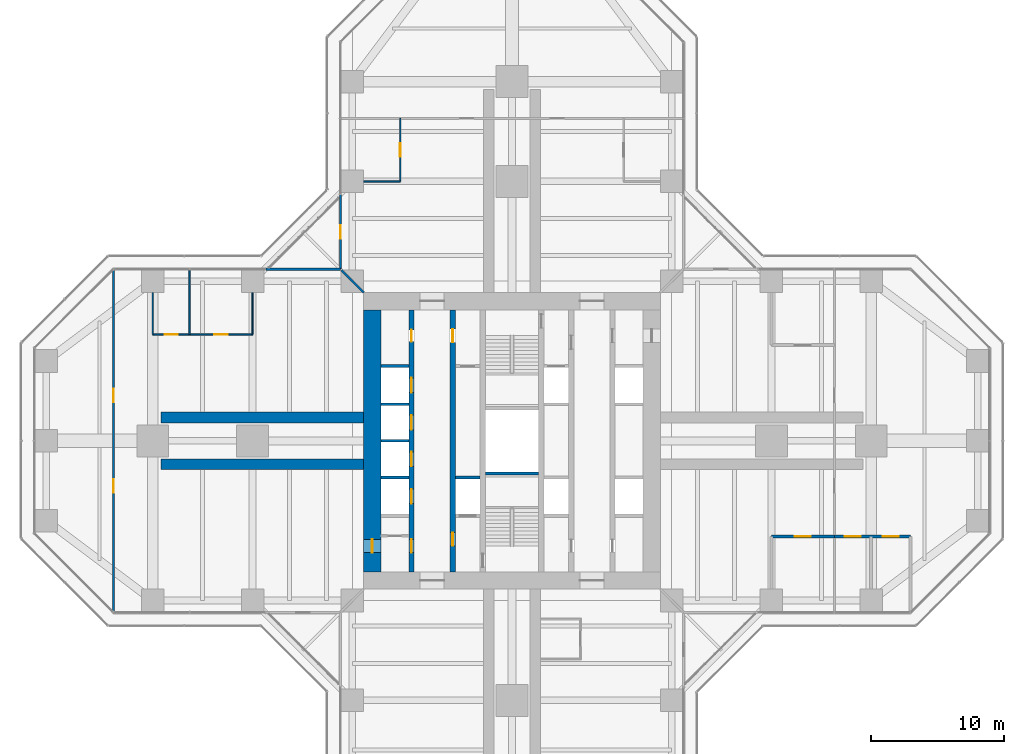
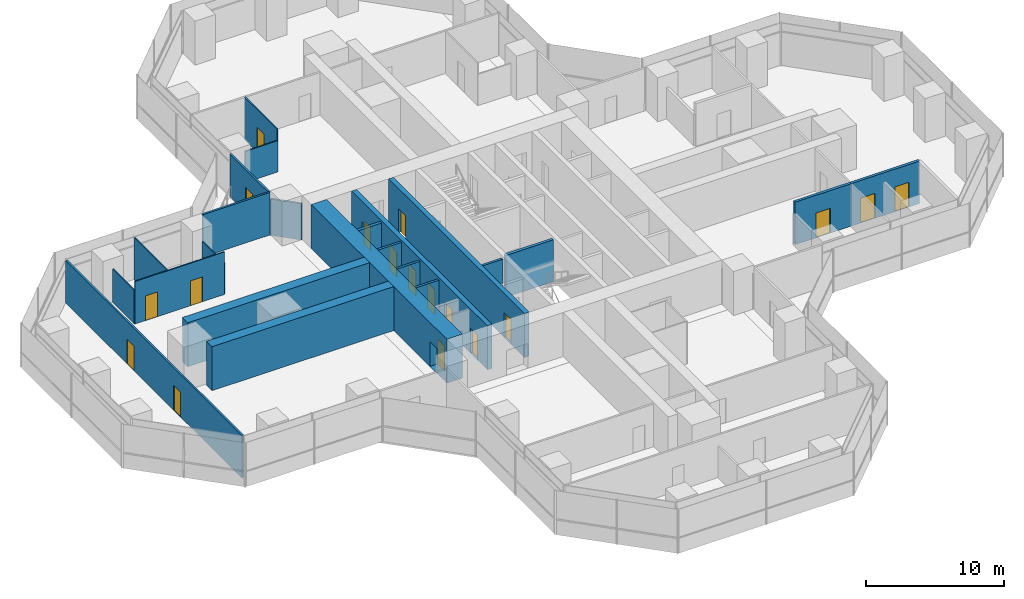
# One storey, part 18 of 22: 23 walls, 18 doors, 18 openings.
"""IFC4 building model written with IfcOpenShell, lengths in metres."""

from ifc_helpers import new_model, si_unit, direction, frame, frame_2d, origin, place, context, subcontext, project, spatial, rectangle, extrude, material, layer, layer_set, type_object, element, fill, save


model = new_model("IFC4")

# Units and contexts
model_context = context("Model", 3, precision=1e-05, world=origin(), true_north=direction((0.0, 1.0)))
body_context = subcontext(model_context, "Body", "Model", "MODEL_VIEW")
ifc_project = project(units=[si_unit("LENGTHUNIT", "METRE"), si_unit("AREAUNIT", "SQUARE_METRE"), si_unit("VOLUMEUNIT", "CUBIC_METRE"), si_unit("PLANEANGLEUNIT", "RADIAN"), si_unit("MASSUNIT", "GRAM", prefix="KILO")], contexts=[model_context])

# Site, building, storey
site_placement = place(None, origin())
site = spatial("IfcSite", under=ifc_project, at=site_placement, CompositionType="ELEMENT")
building_placement = place(site_placement, origin())
building = spatial("IfcBuilding", under=site, at=building_placement, Name="Mizan Broadcast Tower", CompositionType="ELEMENT")
storey_placement = place(building_placement, frame((0.0, 0.0, 82.5)))
storey = spatial("IfcBuildingStorey", under=building, at=storey_placement, Name="L17", CompositionType="ELEMENT", Elevation=82.5)

# Wall, openings, doors
ifc_material_1 = material(Name="Concrete C70/85", Category="concrete")
ifc_layer_1 = layer(ifc_material_1, 0.39990234375)
ifc_layer_set_1 = layer_set([ifc_layer_1], Name="Concrete C70/85")
wall_type_1 = type_object("IfcWallType", Name="CORE INTERNAL WALL 400", PredefinedType="SHEAR", material=ifc_layer_set_1)
wall_1_placement = place(storey_placement, frame((-7.550048828125, -9.85009765625, 0.0), z_axis=(0.0, 0.0, 1.0), x_axis=(0.0, 1.0, 0.0)))
wall_1 = element("IfcWall", 1, at=wall_1_placement, inside=storey, type_object=wall_type_1, Name="Core wall CORE/XW1", PredefinedType="SHEAR", context=body_context, shape_type="SweptSolid", body=[
    extrude(rectangle(XDim=19.7001953125, YDim=0.39990234375, at=frame_2d((9.85009765625, 0.0))), origin(), (0.0, 0.0, 1.0), 3.89990234375),
])
opening_1_placement = place(wall_1_placement, frame((1.449951171875, 0.0, 0.0)))
opening_1 = element("IfcOpeningElement", 2, at=opening_1_placement, cuts=wall_1, Name="Opening D10F", PredefinedType="OPENING", context=body_context, shape_type="SweptSolid", body=[
    extrude(rectangle(XDim=1.0, YDim=2.199951171875, at=frame_2d((0.5, 1.10009765625))), frame((0.0, 0.2099609375, 0.0), z_axis=(0.0, -1.0, 0.0), x_axis=(1.0, 0.0, 0.0)), (0.0, 0.0, 1.0), 0.419921875),
])
opening_2_placement = place(wall_1_placement, frame((17.300048828125, 0.0, 0.0)))
opening_2 = element("IfcOpeningElement", 3, at=opening_2_placement, cuts=wall_1, Name="Opening D09", PredefinedType="OPENING", context=body_context, shape_type="SweptSolid", body=[
    extrude(rectangle(XDim=0.89990234375, YDim=2.10009765625, at=frame_2d((0.449951171875, 1.050048828125))), frame((0.0, 0.2099609375, 0.0), z_axis=(0.0, -1.0, 0.0), x_axis=(1.0, 0.0, 0.0)), (0.0, 0.0, 1.0), 0.419921875),
])
opening_3_placement = place(wall_1_placement, frame((5.125, 0.0, 0.0)))
opening_3 = element("IfcOpeningElement", 4, at=opening_3_placement, cuts=wall_1, Name="Opening LD", PredefinedType="OPENING", context=body_context, shape_type="SweptSolid", body=[
    extrude(rectangle(XDim=1.10009765625, YDim=2.199951171875, at=frame_2d((0.550048828125, 1.10009765625))), frame((0.0, 0.2099609375, 0.0), z_axis=(0.0, -1.0, 0.0), x_axis=(1.0, 0.0, 0.0)), (0.0, 0.0, 1.0), 0.419921875),
])
opening_4_placement = place(wall_1_placement, frame((7.925048828125, 0.0, 0.0)))
opening_4 = element("IfcOpeningElement", 5, at=opening_4_placement, cuts=wall_1, Name="Opening LD", PredefinedType="OPENING", context=body_context, shape_type="SweptSolid", body=[
    extrude(rectangle(XDim=1.10009765625, YDim=2.199951171875, at=frame_2d((0.550048828125, 1.10009765625))), frame((0.0, 0.2099609375, 0.0), z_axis=(0.0, -1.0, 0.0), x_axis=(1.0, 0.0, 0.0)), (0.0, 0.0, 1.0), 0.419921875),
])
opening_5_placement = place(wall_1_placement, frame((10.675048828125, 0.0, 0.0)))
opening_5 = element("IfcOpeningElement", 6, at=opening_5_placement, cuts=wall_1, Name="Opening LD", PredefinedType="OPENING", context=body_context, shape_type="SweptSolid", body=[
    extrude(rectangle(XDim=1.10009765625, YDim=2.199951171875, at=frame_2d((0.550048828125, 1.10009765625))), frame((0.0, 0.2099609375, 0.0), z_axis=(0.0, -1.0, 0.0), x_axis=(1.0, 0.0, 0.0)), (0.0, 0.0, 1.0), 0.419921875),
])
opening_6_placement = place(wall_1_placement, frame((13.47509765625, 0.0, 0.0)))
opening_6 = element("IfcOpeningElement", 7, at=opening_6_placement, cuts=wall_1, Name="Opening LD", PredefinedType="OPENING", context=body_context, shape_type="SweptSolid", body=[
    extrude(rectangle(XDim=1.10009765625, YDim=2.199951171875, at=frame_2d((0.550048828125, 1.10009765625))), frame((0.0, 0.2099609375, 0.0), z_axis=(0.0, -1.0, 0.0), x_axis=(1.0, 0.0, 0.0)), (0.0, 0.0, 1.0), 0.419921875),
])
ifc_material_2 = material(Name="Steel door leaf in steel frame", Category="steel")
door_type_1 = type_object("IfcDoorType", Name="FIRE DOOR 1000 FD90", OperationType="SINGLE_SWING_LEFT", PredefinedType="DOOR", material=ifc_material_2)
door_1_placement = place(opening_1_placement, origin())
door_1 = element("IfcDoor", 8, at=door_1_placement, inside=storey, type_object=door_type_1, Name="West core passage door", OperationType="SINGLE_SWING_LEFT", OverallHeight=2.199951171875, OverallWidth=1.0, PredefinedType="DOOR", context=body_context, shape_type="SweptSolid", body=[
    extrude(rectangle(XDim=1.0, YDim=2.199951171875, at=frame_2d((0.5, 1.10009765625))), frame((0.0, 0.02490234375, 0.0), z_axis=(0.0, -1.0, 0.0), x_axis=(1.0, 0.0, 0.0)), (0.0, 0.0, 1.0), 0.050048828125),
])
fill(opening_1, door_1)
ifc_material_3 = material(Name="Steel door leaf in steel frame", Category="steel")
door_type_2 = type_object("IfcDoorType", Name="LIFT LANDING DOOR 1100", OperationType="SLIDING_TO_LEFT", PredefinedType="DOOR", material=ifc_material_3)
door_2_placement = place(opening_3_placement, origin())
door_2 = element("IfcDoor", 9, at=door_2_placement, inside=storey, type_object=door_type_2, Name="Landing door LA1", OperationType="SLIDING_TO_LEFT", OverallHeight=2.199951171875, OverallWidth=1.10009765625, PredefinedType="DOOR", context=body_context, shape_type="SweptSolid", body=[
    extrude(rectangle(XDim=1.10009765625, YDim=2.199951171875, at=frame_2d((0.550048828125, 1.10009765625))), frame((0.0, 0.02490234375, 0.0), z_axis=(0.0, -1.0, 0.0), x_axis=(1.0, 0.0, 0.0)), (0.0, 0.0, 1.0), 0.050048828125),
])
fill(opening_3, door_2)
door_3_placement = place(opening_4_placement, origin())
door_3 = element("IfcDoor", 10, at=door_3_placement, inside=storey, type_object=door_type_2, Name="Landing door LA2", OperationType="SLIDING_TO_LEFT", OverallHeight=2.199951171875, OverallWidth=1.10009765625, PredefinedType="DOOR", context=body_context, shape_type="SweptSolid", body=[
    extrude(rectangle(XDim=1.10009765625, YDim=2.199951171875, at=frame_2d((0.550048828125, 1.10009765625))), frame((0.0, 0.02490234375, 0.0), z_axis=(0.0, -1.0, 0.0), x_axis=(1.0, 0.0, 0.0)), (0.0, 0.0, 1.0), 0.050048828125),
])
fill(opening_4, door_3)
door_4_placement = place(opening_5_placement, origin())
door_4 = element("IfcDoor", 11, at=door_4_placement, inside=storey, type_object=door_type_2, Name="Landing door LA3", OperationType="SLIDING_TO_LEFT", OverallHeight=2.199951171875, OverallWidth=1.10009765625, PredefinedType="DOOR", context=body_context, shape_type="SweptSolid", body=[
    extrude(rectangle(XDim=1.10009765625, YDim=2.199951171875, at=frame_2d((0.550048828125, 1.10009765625))), frame((0.0, 0.02490234375, 0.0), z_axis=(0.0, -1.0, 0.0), x_axis=(1.0, 0.0, 0.0)), (0.0, 0.0, 1.0), 0.050048828125),
])
fill(opening_5, door_4)
door_5_placement = place(opening_6_placement, origin())
door_5 = element("IfcDoor", 12, at=door_5_placement, inside=storey, type_object=door_type_2, Name="Landing door LA4", OperationType="SLIDING_TO_LEFT", OverallHeight=2.199951171875, OverallWidth=1.10009765625, PredefinedType="DOOR", context=body_context, shape_type="SweptSolid", body=[
    extrude(rectangle(XDim=1.10009765625, YDim=2.199951171875, at=frame_2d((0.550048828125, 1.10009765625))), frame((0.0, 0.02490234375, 0.0), z_axis=(0.0, -1.0, 0.0), x_axis=(1.0, 0.0, 0.0)), (0.0, 0.0, 1.0), 0.050048828125),
])
fill(opening_6, door_5)
ifc_material_4 = material(Name="Timber door leaf in aluminium frame", Category="wood")
door_type_3 = type_object("IfcDoorType", Name="TOILET DOOR 900", OperationType="SINGLE_SWING_LEFT", PredefinedType="DOOR", material=ifc_material_4)
door_6_placement = place(opening_2_placement, origin())
door_6 = element("IfcDoor", 13, at=door_6_placement, inside=storey, type_object=door_type_3, Name="Male WC door", OperationType="SINGLE_SWING_RIGHT", OverallHeight=2.10009765625, OverallWidth=0.89990234375, PredefinedType="DOOR", context=body_context, shape_type="SweptSolid", body=[
    extrude(rectangle(XDim=0.89990234375, YDim=2.10009765625, at=frame_2d((0.449951171875, 1.050048828125))), frame((0.0, 0.02490234375, 0.0), z_axis=(0.0, -1.0, 0.0), x_axis=(1.0, 0.0, 0.0)), (0.0, 0.0, 1.0), 0.050048828125),
])
fill(opening_2, door_6)

wall_2_placement = place(storey_placement, frame((-4.449951171875, -9.85009765625, 0.0), z_axis=(0.0, 0.0, 1.0), x_axis=(0.0, 1.0, 0.0)))
wall_2 = element("IfcWall", 14, at=wall_2_placement, inside=storey, type_object=wall_type_1, Name="Core wall CORE/XWH", PredefinedType="SHEAR", context=body_context, shape_type="SweptSolid", body=[
    extrude(rectangle(XDim=19.7001953125, YDim=0.39990234375, at=frame_2d((9.85009765625, 0.0))), origin(), (0.0, 0.0, 1.0), 3.89990234375),
])
opening_7_placement = place(wall_2_placement, frame((1.949951171875, 0.0, 0.0)))
opening_7 = element("IfcOpeningElement", 15, at=opening_7_placement, cuts=wall_2, Name="Opening D10F", PredefinedType="OPENING", context=body_context, shape_type="SweptSolid", body=[
    extrude(rectangle(XDim=1.0, YDim=2.199951171875, at=frame_2d((0.5, 1.10009765625))), frame((0.0, 0.2099609375, 0.0), z_axis=(0.0, -1.0, 0.0), x_axis=(1.0, 0.0, 0.0)), (0.0, 0.0, 1.0), 0.419921875),
])
opening_8_placement = place(wall_2_placement, frame((17.25, 0.0, 0.0)))
opening_8 = element("IfcOpeningElement", 16, at=opening_8_placement, cuts=wall_2, Name="Opening D10A", PredefinedType="OPENING", context=body_context, shape_type="SweptSolid", body=[
    extrude(rectangle(XDim=1.0, YDim=2.10009765625, at=frame_2d((0.5, 1.050048828125))), frame((0.0, 0.2099609375, 0.0), z_axis=(0.0, -1.0, 0.0), x_axis=(1.0, 0.0, 0.0)), (0.0, 0.0, 1.0), 0.419921875),
])
ifc_material_5 = material(Name="Timber door leaf in aluminium frame", Category="wood")
door_type_4 = type_object("IfcDoorType", Name="ACCESSIBLE WC DOOR 1000", OperationType="SLIDING_TO_LEFT", PredefinedType="DOOR", material=ifc_material_5)
door_7_placement = place(opening_8_placement, origin())
door_7 = element("IfcDoor", 17, at=door_7_placement, inside=storey, type_object=door_type_4, Name="Accessible WC door", OperationType="SLIDING_TO_LEFT", OverallHeight=2.10009765625, OverallWidth=1.0, PredefinedType="DOOR", context=body_context, shape_type="SweptSolid", body=[
    extrude(rectangle(XDim=1.0, YDim=2.10009765625, at=frame_2d((0.5, 1.050048828125))), frame((0.0, 0.02490234375, 0.0), z_axis=(0.0, -1.0, 0.0), x_axis=(1.0, 0.0, 0.0)), (0.0, 0.0, 1.0), 0.050048828125),
])
fill(opening_8, door_7)
door_8_placement = place(opening_7_placement, origin())
door_8 = element("IfcDoor", 18, at=door_8_placement, inside=storey, type_object=door_type_1, Name="Firefighting lobby A door", OperationType="SINGLE_SWING_LEFT", OverallHeight=2.199951171875, OverallWidth=1.0, PredefinedType="DOOR", context=body_context, shape_type="SweptSolid", body=[
    extrude(rectangle(XDim=1.0, YDim=2.199951171875, at=frame_2d((0.5, 1.10009765625))), frame((0.0, 0.02490234375, 0.0), z_axis=(0.0, -1.0, 0.0), x_axis=(1.0, 0.0, 0.0)), (0.0, 0.0, 1.0), 0.050048828125),
])
fill(opening_7, door_8)

# Wall, opening, door
ifc_material_6 = material(Name="Concrete C70/85", Category="concrete")
ifc_layer_2 = layer(ifc_material_6, 1.300048828125)
ifc_layer_set_2 = layer_set([ifc_layer_2], Name="Concrete C70/85")
wall_type_2 = type_object("IfcWallType", Name="CORE WALL 1300", PredefinedType="SHEAR", material=ifc_layer_set_2)
wall_3_placement = place(storey_placement, frame((-10.5, 9.85009765625, 0.0), z_axis=(0.0, 0.0, 1.0), x_axis=(0.0, -1.0, 0.0)))
wall_3 = element("IfcWall", 19, at=wall_3_placement, inside=storey, type_object=wall_type_2, Name="Core wall W L17", PredefinedType="SHEAR", context=body_context, shape_type="SweptSolid", body=[
    extrude(rectangle(XDim=19.7001953125, YDim=1.300048828125, at=frame_2d((9.85009765625, 0.0))), origin(), (0.0, 0.0, 1.0), 3.89990234375),
])
opening_9_placement = place(wall_3_placement, frame((17.25, 0.0, 0.0)))
opening_9 = element("IfcOpeningElement", 20, at=opening_9_placement, cuts=wall_3, Name="Opening D10F", PredefinedType="OPENING", context=body_context, shape_type="SweptSolid", body=[
    extrude(rectangle(XDim=1.0, YDim=2.199951171875, at=frame_2d((0.5, 1.10009765625))), frame((0.0, 0.659912109375, 0.0), z_axis=(0.0, -1.0, 0.0), x_axis=(1.0, 0.0, 0.0)), (0.0, 0.0, 1.0), 1.320068359375),
])
door_9_placement = place(opening_9_placement, origin())
door_9 = element("IfcDoor", 21, at=door_9_placement, inside=storey, type_object=door_type_1, Name="West core passage arm door", OperationType="SINGLE_SWING_RIGHT", OverallHeight=2.199951171875, OverallWidth=1.0, PredefinedType="DOOR", context=body_context, shape_type="SweptSolid", body=[
    extrude(rectangle(XDim=1.0, YDim=2.199951171875, at=frame_2d((0.5, 1.10009765625))), frame((0.0, 0.02490234375, 0.0), z_axis=(0.0, -1.0, 0.0), x_axis=(1.0, 0.0, 0.0)), (0.0, 0.0, 1.0), 0.050048828125),
])
fill(opening_9, door_9)

ifc_material_7 = material(Name="Aluminium framed glazed screen", Category="aluminium")
ifc_layer_3 = layer(ifc_material_7, 0.159912109375)
ifc_layer_set_3 = layer_set([ifc_layer_3], Name="Aluminium framed glazed screen")
wall_type_3 = type_object("IfcWallType", Name="GLAZED SCREEN WALL 160", PredefinedType="SOLIDWALL", material=ifc_layer_set_3)
wall_4_placement = place(storey_placement, frame((-12.89990234375, 18.5, 0.0), z_axis=(0.0, 0.0, 1.0), x_axis=(0.0, -1.0, 0.0)))
wall_4 = element("IfcWall", 22, at=wall_4_placement, inside=storey, type_object=wall_type_3, Name="Winter garden screen L17 N", PredefinedType="SOLIDWALL", context=body_context, shape_type="SweptSolid", body=[
    extrude(rectangle(XDim=5.60009765625, YDim=0.159912109375, at=frame_2d((2.800048828125, 0.0))), origin(), (0.0, 0.0, 1.0), 3.77001953125),
])
opening_10_placement = place(wall_4_placement, frame((2.300048828125, 0.0, 0.0)))
opening_10 = element("IfcOpeningElement", 23, at=opening_10_placement, cuts=wall_4, Name="Opening WGD", PredefinedType="OPENING", context=body_context, shape_type="SweptSolid", body=[
    extrude(rectangle(XDim=1.0, YDim=2.199951171875, at=frame_2d((0.5, 1.10009765625))), frame((0.0, 0.08984375, 0.0), z_axis=(0.0, -1.0, 0.0), x_axis=(1.0, 0.0, 0.0)), (0.0, 0.0, 1.0), 0.179931640625),
])
ifc_material_8 = material(Name="Aluminium framed glazed door", Category="aluminium")
door_type_5 = type_object("IfcDoorType", Name="WINTER GARDEN DOOR 1000 GLAZED", OperationType="SINGLE_SWING_LEFT", PredefinedType="DOOR", material=ifc_material_8)
door_10_placement = place(opening_10_placement, origin())
door_10 = element("IfcDoor", 24, at=door_10_placement, inside=storey, type_object=door_type_5, Name="Winter garden door L17 N", OperationType="SINGLE_SWING_RIGHT", OverallHeight=2.199951171875, OverallWidth=1.0, PredefinedType="DOOR", context=body_context, shape_type="SweptSolid", body=[
    extrude(rectangle(XDim=1.0, YDim=2.199951171875, at=frame_2d((0.5, 1.10009765625))), frame((0.0, 0.02490234375, 0.0), z_axis=(0.0, -1.0, 0.0), x_axis=(1.0, 0.0, 0.0)), (0.0, 0.0, 1.0), 0.050048828125),
])
fill(opening_10, door_10)

# Walls
wall_5_placement = place(storey_placement, frame((-12.89990234375, 12.89990234375, 0.0), z_axis=(0.0, 0.0, 1.0), x_axis=(-1.0, 0.0, 0.0)))
element("IfcWall", 25, at=wall_5_placement, inside=storey, type_object=wall_type_3, Name="Winter garden screen L17 W", PredefinedType="SOLIDWALL", context=body_context, shape_type="SweptSolid", body=[
    extrude(rectangle(XDim=5.60009765625, YDim=0.159912109375, at=frame_2d((2.800048828125, 0.0))), origin(), (0.0, 0.0, 1.0), 3.77001953125),
])
ifc_material_9 = material(Name="Concrete blockwork", Category="masonry")
ifc_layer_4 = layer(ifc_material_9, 0.199951171875)
ifc_layer_set_4 = layer_set([ifc_layer_4], Name="Concrete blockwork")
wall_type_4 = type_object("IfcWallType", Name="LIFT SHAFT WALL 200", PredefinedType="SOLIDWALL", material=ifc_layer_set_4)
wall_6_placement = place(storey_placement, frame((-9.85009765625, -2.75, 0.0), z_axis=(0.0, 0.0, 1.0), x_axis=(1.0, 0.0, 0.0)))
element("IfcWall", 26, at=wall_6_placement, inside=storey, type_object=wall_type_4, Name="Lift shaft wall CORE/SW1-1", PredefinedType="SOLIDWALL", context=body_context, shape_type="SweptSolid", body=[
    extrude(rectangle(XDim=2.10009765625, YDim=0.199951171875, at=frame_2d((1.050048828125, 0.0))), origin(), (0.0, 0.0, 1.0), 3.699951171875),
])
wall_7_placement = place(storey_placement, frame((-4.25, -2.75, 0.0), z_axis=(0.0, 0.0, 1.0), x_axis=(1.0, 0.0, 0.0)))
element("IfcWall", 27, at=wall_7_placement, inside=storey, type_object=wall_type_4, Name="Lift shaft wall CORE/SW2-1", PredefinedType="SOLIDWALL", context=body_context, shape_type="SweptSolid", body=[
    extrude(rectangle(XDim=1.85009765625, YDim=0.199951171875, at=frame_2d((0.925048828125, 0.0))), origin(), (0.0, 0.0, 1.0), 3.699951171875),
])
for number, where, z_axis, x_axis, name in (
    (28, (-9.85009765625, 0.0, 0.0), (0.0, 0.0, 1.0), (1.0, 0.0, 0.0), "Lift shaft wall CORE/SW1-2"),
    (29, (-9.85009765625, 2.75, 0.0), (0.0, 0.0, 1.0), (1.0, 0.0, 0.0), "Lift shaft wall CORE/SW1-3"),
):
    element("IfcWall", number, at=place(storey_placement, frame(where, z_axis=z_axis, x_axis=x_axis)), inside=storey, type_object=wall_type_4, Name=name, PredefinedType="SOLIDWALL", context=body_context, shape_type="SweptSolid", body=[
        extrude(rectangle(XDim=2.10009765625, YDim=0.199951171875, at=frame_2d((1.050048828125, 0.0))), origin(), (0.0, 0.0, 1.0), 3.699951171875),
    ])
ifc_material_10 = material(Name="Concrete blockwork", Category="masonry")
ifc_layer_5 = layer(ifc_material_10, 0.25)
ifc_layer_set_5 = layer_set([ifc_layer_5], Name="Concrete blockwork")
wall_type_5 = type_object("IfcWallType", Name="LOBBY ENCLOSURE WALL 250", PredefinedType="SOLIDWALL", material=ifc_layer_set_5)
wall_8_placement = place(storey_placement, frame((-9.85009765625, 5.625, 0.0), z_axis=(0.0, 0.0, 1.0), x_axis=(1.0, 0.0, 0.0)))
element("IfcWall", 30, at=wall_8_placement, inside=storey, type_object=wall_type_5, Name="Lobby enclosure wall CORE/BW1N", PredefinedType="SOLIDWALL", context=body_context, shape_type="SweptSolid", body=[
    extrude(rectangle(XDim=2.10009765625, YDim=0.25, at=frame_2d((1.050048828125, 0.0))), origin(), (0.0, 0.0, 1.0), 3.699951171875),
])
wall_9_placement = place(storey_placement, frame((-2.0, -2.449951171875, 0.0), z_axis=(0.0, 0.0, 1.0), x_axis=(1.0, 0.0, 0.0)))
element("IfcWall", 31, at=wall_9_placement, inside=storey, type_object=wall_type_5, Name="Lobby enclosure wall CORE/STA", PredefinedType="SOLIDWALL", context=body_context, shape_type="SweptSolid", body=[
    extrude(rectangle(XDim=4.0, YDim=0.25, at=frame_2d((2.0, 0.0))), origin(), (0.0, 0.0, 1.0), 3.699951171875),
])

# Wall, openings, doors
ifc_material_11 = material(Name="Gypsum board on steel studs", Category="steel")
ifc_layer_6 = layer(ifc_material_11, 0.14990234375)
ifc_layer_set_6 = layer_set([ifc_layer_6], Name="Gypsum board on steel studs")
wall_type_6 = type_object("IfcWallType", Name="PARTITION 150", PredefinedType="PARTITIONING", material=ifc_layer_set_6)
wall_10_placement = place(storey_placement, frame((-29.958984375, 12.786376953125, 0.0), z_axis=(0.0, 0.0, 1.0), x_axis=(0.0, -1.0, 0.0)))
wall_10 = element("IfcWall", 32, at=wall_10_placement, inside=storey, type_object=wall_type_6, Name="Partition PT/WX1", PredefinedType="PARTITIONING", context=body_context, shape_type="SweptSolid", body=[
    extrude(rectangle(XDim=25.57275390625, YDim=0.14990234375, at=frame_2d((12.786376953125, 0.0))), origin(), (0.0, 0.0, 1.0), 3.77001953125),
])
opening_11_placement = place(wall_10_placement, frame((15.6865234375, 0.0, 0.0)))
opening_11 = element("IfcOpeningElement", 33, at=opening_11_placement, cuts=wall_10, Name="Opening D10", PredefinedType="OPENING", context=body_context, shape_type="SweptSolid", body=[
    extrude(rectangle(XDim=1.0, YDim=2.199951171875, at=frame_2d((0.5, 1.10009765625))), frame((0.0, 0.0849609375, 0.0), z_axis=(0.0, -1.0, 0.0), x_axis=(1.0, 0.0, 0.0)), (0.0, 0.0, 1.0), 0.169921875),
])
opening_12_placement = place(wall_10_placement, frame((8.886474609375, 0.0, 0.0)))
opening_12 = element("IfcOpeningElement", 34, at=opening_12_placement, cuts=wall_10, Name="Opening D10", PredefinedType="OPENING", context=body_context, shape_type="SweptSolid", body=[
    extrude(rectangle(XDim=1.0, YDim=2.199951171875, at=frame_2d((0.5, 1.10009765625))), frame((0.0, 0.0849609375, 0.0), z_axis=(0.0, -1.0, 0.0), x_axis=(1.0, 0.0, 0.0)), (0.0, 0.0, 1.0), 0.169921875),
])
ifc_material_12 = material(Name="Timber door leaf in aluminium frame", Category="wood")
door_type_6 = type_object("IfcDoorType", Name="ROOM DOOR 1000", OperationType="SINGLE_SWING_LEFT", PredefinedType="DOOR", material=ifc_material_12)
door_11_placement = place(opening_11_placement, origin())
door_11 = element("IfcDoor", 35, at=door_11_placement, inside=storey, type_object=door_type_6, Name="Screening room door", OperationType="SINGLE_SWING_RIGHT", OverallHeight=2.199951171875, OverallWidth=1.0, PredefinedType="DOOR", context=body_context, shape_type="SweptSolid", body=[
    extrude(rectangle(XDim=1.0, YDim=2.199951171875, at=frame_2d((0.5, 1.10009765625))), frame((0.0, 0.02490234375, 0.0), z_axis=(0.0, -1.0, 0.0), x_axis=(1.0, 0.0, 0.0)), (0.0, 0.0, 1.0), 0.050048828125),
])
fill(opening_11, door_11)
door_12_placement = place(opening_12_placement, origin())
door_12 = element("IfcDoor", 36, at=door_12_placement, inside=storey, type_object=door_type_6, Name="Screening room door", OperationType="SINGLE_SWING_LEFT", OverallHeight=2.199951171875, OverallWidth=1.0, PredefinedType="DOOR", context=body_context, shape_type="SweptSolid", body=[
    extrude(rectangle(XDim=1.0, YDim=2.199951171875, at=frame_2d((0.5, 1.10009765625))), frame((0.0, 0.02490234375, 0.0), z_axis=(0.0, -1.0, 0.0), x_axis=(1.0, 0.0, 0.0)), (0.0, 0.0, 1.0), 0.050048828125),
])
fill(opening_12, door_12)

# Wall
wall_11_placement = place(storey_placement, frame((-11.14990234375, 11.14990234375, 0.0), z_axis=(0.0, 0.0, 1.0), x_axis=(-0.707106781187, 0.707106781187, 0.0)))
element("IfcWall", 37, at=wall_11_placement, inside=storey, type_object=wall_type_6, Name="Partition PT/DGWN", PredefinedType="PARTITIONING", context=body_context, shape_type="SweptSolid", body=[
    extrude(rectangle(XDim=2.362060546875, YDim=0.14990234375, at=frame_2d((1.18115234375, 0.0))), origin(), (0.0, 0.0, 1.0), 3.219970703125),
])

# Wall, opening, door
ifc_material_13 = material(Name="Twin steel stud acoustic partition, four layers of gypsum board", Category="steel")
ifc_layer_7 = layer(ifc_material_13, 0.22509765625)
ifc_layer_set_7 = layer_set([ifc_layer_7], Name="Twin steel stud acoustic partition, four layers of gypsum board")
wall_type_7 = type_object("IfcWallType", Name="PARTITION ACOUSTIC 225", PredefinedType="PARTITIONING", material=ifc_layer_set_7)
wall_12_placement = place(storey_placement, frame((19.5, -7.199951171875, 0.0), z_axis=(0.0, 0.0, 1.0), x_axis=(1.0, 0.0, 0.0)))
wall_12 = element("IfcWall", 38, at=wall_12_placement, inside=storey, type_object=wall_type_7, Name="Acoustic partition PT/ECN0", PredefinedType="PARTITIONING", context=body_context, shape_type="SweptSolid", body=[
    extrude(rectangle(XDim=4.72900390625, YDim=0.22509765625, at=frame_2d((2.364501953125, 0.0))), origin(), (0.0, 0.0, 1.0), 3.77001953125),
])
opening_13_placement = place(wall_12_placement, frame((1.764404296875, 0.0, 0.0)))
opening_13 = element("IfcOpeningElement", 39, at=opening_13_placement, cuts=wall_12, Name="Opening D12A", PredefinedType="OPENING", context=body_context, shape_type="SweptSolid", body=[
    extrude(rectangle(XDim=1.199951171875, YDim=2.199951171875, at=frame_2d((0.60009765625, 1.10009765625))), frame((0.0, 0.12255859375, 0.0), z_axis=(0.0, -1.0, 0.0), x_axis=(1.0, 0.0, 0.0)), (0.0, 0.0, 1.0), 0.2451171875),
])
ifc_material_14 = material(Name="Timber door leaf in aluminium frame", Category="wood")
door_type_7 = type_object("IfcDoorType", Name="ACOUSTIC DOOR 1200", OperationType="SINGLE_SWING_LEFT", PredefinedType="DOOR", material=ifc_material_14)
door_13_placement = place(opening_13_placement, origin())
door_13 = element("IfcDoor", 40, at=door_13_placement, inside=storey, type_object=door_type_7, Name="Commissioning editor's office door", OperationType="SINGLE_SWING_LEFT", OverallHeight=2.199951171875, OverallWidth=1.199951171875, PredefinedType="DOOR", context=body_context, shape_type="SweptSolid", body=[
    extrude(rectangle(XDim=1.199951171875, YDim=2.199951171875, at=frame_2d((0.60009765625, 1.10009765625))), frame((0.0, 0.02490234375, 0.0), z_axis=(0.0, -1.0, 0.0), x_axis=(1.0, 0.0, 0.0)), (0.0, 0.0, 1.0), 0.050048828125),
])
fill(opening_13, door_13)

# Wall, openings, doors
wall_13_placement = place(storey_placement, frame((24.22900390625, -7.199951171875, 0.0), z_axis=(0.0, 0.0, 1.0), x_axis=(1.0, 0.0, 0.0)))
wall_13 = element("IfcWall", 41, at=wall_13_placement, inside=storey, type_object=wall_type_7, Name="Acoustic partition PT/ECN1", PredefinedType="PARTITIONING", context=body_context, shape_type="SweptSolid", body=[
    extrude(rectangle(XDim=5.72998046875, YDim=0.22509765625, at=frame_2d((2.864990234375, 0.0))), origin(), (0.0, 0.0, 1.0), 3.77001953125),
])
opening_14_placement = place(wall_13_placement, frame((0.785400390625, 0.0, 0.0)))
opening_14 = element("IfcOpeningElement", 42, at=opening_14_placement, cuts=wall_13, Name="Opening D12A", PredefinedType="OPENING", context=body_context, shape_type="SweptSolid", body=[
    extrude(rectangle(XDim=1.199951171875, YDim=2.199951171875, at=frame_2d((0.60009765625, 1.10009765625))), frame((0.0, 0.12255859375, 0.0), z_axis=(0.0, -1.0, 0.0), x_axis=(1.0, 0.0, 0.0)), (0.0, 0.0, 1.0), 0.2451171875),
])
opening_15_placement = place(wall_13_placement, frame((3.650390625, 0.0, 0.0)))
opening_15 = element("IfcOpeningElement", 43, at=opening_15_placement, cuts=wall_13, Name="Opening D12A", PredefinedType="OPENING", context=body_context, shape_type="SweptSolid", body=[
    extrude(rectangle(XDim=1.199951171875, YDim=2.199951171875, at=frame_2d((0.60009765625, 1.10009765625))), frame((0.0, 0.12255859375, 0.0), z_axis=(0.0, -1.0, 0.0), x_axis=(1.0, 0.0, 0.0)), (0.0, 0.0, 1.0), 0.2451171875),
])
door_14_placement = place(opening_14_placement, origin())
door_14 = element("IfcDoor", 44, at=door_14_placement, inside=storey, type_object=door_type_7, Name="Office door", OperationType="SINGLE_SWING_LEFT", OverallHeight=2.199951171875, OverallWidth=1.199951171875, PredefinedType="DOOR", context=body_context, shape_type="SweptSolid", body=[
    extrude(rectangle(XDim=1.199951171875, YDim=2.199951171875, at=frame_2d((0.60009765625, 1.10009765625))), frame((0.0, 0.02490234375, 0.0), z_axis=(0.0, -1.0, 0.0), x_axis=(1.0, 0.0, 0.0)), (0.0, 0.0, 1.0), 0.050048828125),
])
fill(opening_14, door_14)
door_15_placement = place(opening_15_placement, origin())
door_15 = element("IfcDoor", 45, at=door_15_placement, inside=storey, type_object=door_type_7, Name="Office door", OperationType="SINGLE_SWING_RIGHT", OverallHeight=2.199951171875, OverallWidth=1.199951171875, PredefinedType="DOOR", context=body_context, shape_type="SweptSolid", body=[
    extrude(rectangle(XDim=1.199951171875, YDim=2.199951171875, at=frame_2d((0.60009765625, 1.10009765625))), frame((0.0, 0.02490234375, 0.0), z_axis=(0.0, -1.0, 0.0), x_axis=(1.0, 0.0, 0.0)), (0.0, 0.0, 1.0), 0.050048828125),
])
fill(opening_15, door_15)

# Wall, opening, door
ifc_material_15 = material(Name="Glazed aluminium partition on aluminium track", Category="aluminium")
ifc_layer_8 = layer(ifc_material_15, 0.10009765625)
ifc_layer_set_8 = layer_set([ifc_layer_8], Name="Glazed aluminium partition on aluminium track")
wall_type_8 = type_object("IfcWallType", Name="PARTITION GLAZED OFFICE FRONT 100", PredefinedType="PARTITIONING", material=ifc_layer_set_8)
wall_14_placement = place(storey_placement, frame((-8.39990234375, 19.5, 0.0), z_axis=(0.0, 0.0, 1.0), x_axis=(0.0, 1.0, 0.0)))
wall_14 = element("IfcWall", 46, at=wall_14_placement, inside=storey, type_object=wall_type_8, Name="Glazed office front PT/NCP0", PredefinedType="PARTITIONING", context=body_context, shape_type="SweptSolid", body=[
    extrude(rectangle(XDim=4.72900390625, YDim=0.10009765625, at=frame_2d((2.364501953125, 0.0))), origin(), (0.0, 0.0, 1.0), 3.77001953125),
])
opening_16_placement = place(wall_14_placement, frame((1.864501953125, 0.0, 0.0)))
opening_16 = element("IfcOpeningElement", 47, at=opening_16_placement, cuts=wall_14, Name="Opening D10O", PredefinedType="OPENING", context=body_context, shape_type="SweptSolid", body=[
    extrude(rectangle(XDim=1.0, YDim=2.199951171875, at=frame_2d((0.5, 1.10009765625))), frame((0.0, 0.06005859375, 0.0), z_axis=(0.0, -1.0, 0.0), x_axis=(1.0, 0.0, 0.0)), (0.0, 0.0, 1.0), 0.1201171875),
])
ifc_material_16 = material(Name="Timber door leaf in aluminium frame", Category="wood")
door_type_8 = type_object("IfcDoorType", Name="OFFICE DOOR 1000 GLAZED", OperationType="SINGLE_SWING_LEFT", PredefinedType="DOOR", material=ifc_material_16)
door_16_placement = place(opening_16_placement, origin())
door_16 = element("IfcDoor", 48, at=door_16_placement, inside=storey, type_object=door_type_8, Name="Office door", OperationType="SINGLE_SWING_LEFT", OverallHeight=2.199951171875, OverallWidth=1.0, PredefinedType="DOOR", context=body_context, shape_type="SweptSolid", body=[
    extrude(rectangle(XDim=1.0, YDim=2.199951171875, at=frame_2d((0.5, 1.10009765625))), frame((0.0, 0.02490234375, 0.0), z_axis=(0.0, -1.0, 0.0), x_axis=(1.0, 0.0, 0.0)), (0.0, 0.0, 1.0), 0.050048828125),
])
fill(opening_16, door_16)

# Wall
wall_15_placement = place(storey_placement, frame((-8.39990234375, 19.5, 0.0), z_axis=(0.0, 0.0, 1.0), x_axis=(-1.0, 0.0, 0.0)))
element("IfcWall", 49, at=wall_15_placement, inside=storey, type_object=wall_type_8, Name="Glazed office front PT/NQP1950", PredefinedType="PARTITIONING", context=body_context, shape_type="SweptSolid", body=[
    extrude(rectangle(XDim=2.75, YDim=0.10009765625, at=frame_2d((1.375, 0.0))), origin(), (0.0, 0.0, 1.0), 2.77001953125),
])

# Wall, openings, doors
wall_16_placement = place(storey_placement, frame((-19.5, 8.0, 0.0), z_axis=(0.0, 0.0, 1.0), x_axis=(-1.0, 0.0, 0.0)))
wall_16 = element("IfcWall", 50, at=wall_16_placement, inside=storey, type_object=wall_type_8, Name="Glazed office front PT/WCN0", PredefinedType="PARTITIONING", context=body_context, shape_type="SweptSolid", body=[
    extrude(rectangle(XDim=7.5, YDim=0.10009765625, at=frame_2d((3.75, 0.0))), origin(), (0.0, 0.0, 1.0), 3.77001953125),
])
opening_17_placement = place(wall_16_placement, frame((1.864501953125, 0.0, 0.0)))
opening_17 = element("IfcOpeningElement", 51, at=opening_17_placement, cuts=wall_16, Name="Opening D10O", PredefinedType="OPENING", context=body_context, shape_type="SweptSolid", body=[
    extrude(rectangle(XDim=1.0, YDim=2.199951171875, at=frame_2d((0.5, 1.10009765625))), frame((0.0, 0.06005859375, 0.0), z_axis=(0.0, -1.0, 0.0), x_axis=(1.0, 0.0, 0.0)), (0.0, 0.0, 1.0), 0.1201171875),
])
opening_18_placement = place(wall_16_placement, frame((5.614501953125, 0.0, 0.0)))
opening_18 = element("IfcOpeningElement", 52, at=opening_18_placement, cuts=wall_16, Name="Opening D10O", PredefinedType="OPENING", context=body_context, shape_type="SweptSolid", body=[
    extrude(rectangle(XDim=1.0, YDim=2.199951171875, at=frame_2d((0.5, 1.10009765625))), frame((0.0, 0.06005859375, 0.0), z_axis=(0.0, -1.0, 0.0), x_axis=(1.0, 0.0, 0.0)), (0.0, 0.0, 1.0), 0.1201171875),
])
door_17_placement = place(opening_17_placement, origin())
door_17 = element("IfcDoor", 53, at=door_17_placement, inside=storey, type_object=door_type_8, Name="Office door", OperationType="SINGLE_SWING_LEFT", OverallHeight=2.199951171875, OverallWidth=1.0, PredefinedType="DOOR", context=body_context, shape_type="SweptSolid", body=[
    extrude(rectangle(XDim=1.0, YDim=2.199951171875, at=frame_2d((0.5, 1.10009765625))), frame((0.0, 0.02490234375, 0.0), z_axis=(0.0, -1.0, 0.0), x_axis=(1.0, 0.0, 0.0)), (0.0, 0.0, 1.0), 0.050048828125),
])
fill(opening_17, door_17)
door_18_placement = place(opening_18_placement, origin())
door_18 = element("IfcDoor", 54, at=door_18_placement, inside=storey, type_object=door_type_8, Name="Office door", OperationType="SINGLE_SWING_RIGHT", OverallHeight=2.199951171875, OverallWidth=1.0, PredefinedType="DOOR", context=body_context, shape_type="SweptSolid", body=[
    extrude(rectangle(XDim=1.0, YDim=2.199951171875, at=frame_2d((0.5, 1.10009765625))), frame((0.0, 0.02490234375, 0.0), z_axis=(0.0, -1.0, 0.0), x_axis=(1.0, 0.0, 0.0)), (0.0, 0.0, 1.0), 0.050048828125),
])
fill(opening_18, door_18)

# Walls
wall_17_placement = place(storey_placement, frame((-19.5, 8.0, 0.0), z_axis=(0.0, 0.0, 1.0), x_axis=(0.0, 1.0, 0.0)))
element("IfcWall", 55, at=wall_17_placement, inside=storey, type_object=wall_type_8, Name="Glazed office front PT/WQN1950", PredefinedType="PARTITIONING", context=body_context, shape_type="SweptSolid", body=[
    extrude(rectangle(XDim=3.14990234375, YDim=0.10009765625, at=frame_2d((1.574951171875, 0.0))), origin(), (0.0, 0.0, 1.0), 2.77001953125),
])
wall_18_placement = place(storey_placement, frame((-24.22900390625, 8.0, 0.0), z_axis=(0.0, 0.0, 1.0), x_axis=(0.0, 1.0, 0.0)))
element("IfcWall", 56, at=wall_18_placement, inside=storey, type_object=wall_type_8, Name="Glazed office front PT/WQN2423", PredefinedType="PARTITIONING", context=body_context, shape_type="SweptSolid", body=[
    extrude(rectangle(XDim=4.820068359375, YDim=0.10009765625, at=frame_2d((2.41015625, 0.0))), origin(), (0.0, 0.0, 1.0), 3.77001953125),
])
wall_19_placement = place(storey_placement, frame((-27.0, 8.0, 0.0), z_axis=(0.0, 0.0, 1.0), x_axis=(0.0, 1.0, 0.0)))
element("IfcWall", 57, at=wall_19_placement, inside=storey, type_object=wall_type_8, Name="Glazed office front PT/WQN2700", PredefinedType="PARTITIONING", context=body_context, shape_type="SweptSolid", body=[
    extrude(rectangle(XDim=3.14990234375, YDim=0.10009765625, at=frame_2d((1.574951171875, 0.0))), origin(), (0.0, 0.0, 1.0), 2.969970703125),
])
ifc_material_17 = material(Name="Concrete C70/85", Category="concrete")
ifc_layer_9 = layer(ifc_material_17, 0.800048828125)
ifc_layer_set_9 = layer_set([ifc_layer_9], Name="Concrete C70/85")
wall_type_9 = type_object("IfcWallType", Name="SPINE WALL 800", PredefinedType="SHEAR", material=ifc_layer_set_9)
for number, where, z_axis, x_axis, name in (
    (58, (-11.14990234375, 1.75, 0.0), (0.0, 0.0, 1.0), (-1.0, 0.0, 0.0), "Spine wall WR L17"),
    (59, (-11.14990234375, -1.75, 0.0), (0.0, 0.0, 1.0), (-1.0, 0.0, 0.0), "Spine wall WL L17"),
):
    element("IfcWall", number, at=place(storey_placement, frame(where, z_axis=z_axis, x_axis=x_axis)), inside=storey, type_object=wall_type_9, Name=name, PredefinedType="SHEAR", context=body_context, shape_type="SweptSolid", body=[
        extrude(rectangle(XDim=15.25, YDim=0.800048828125, at=frame_2d((7.625, 0.0))), origin(), (0.0, 0.0, 1.0), 3.89990234375),
    ])

save(model, "model.ifc")
